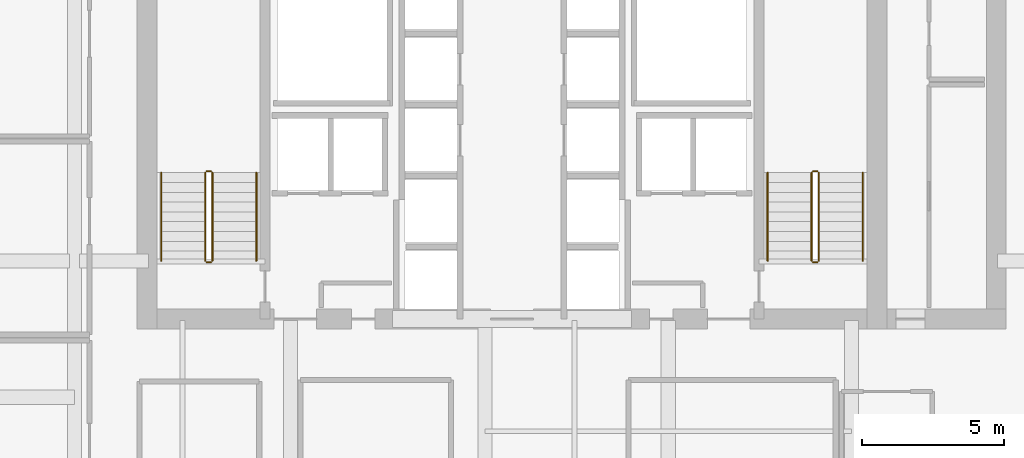
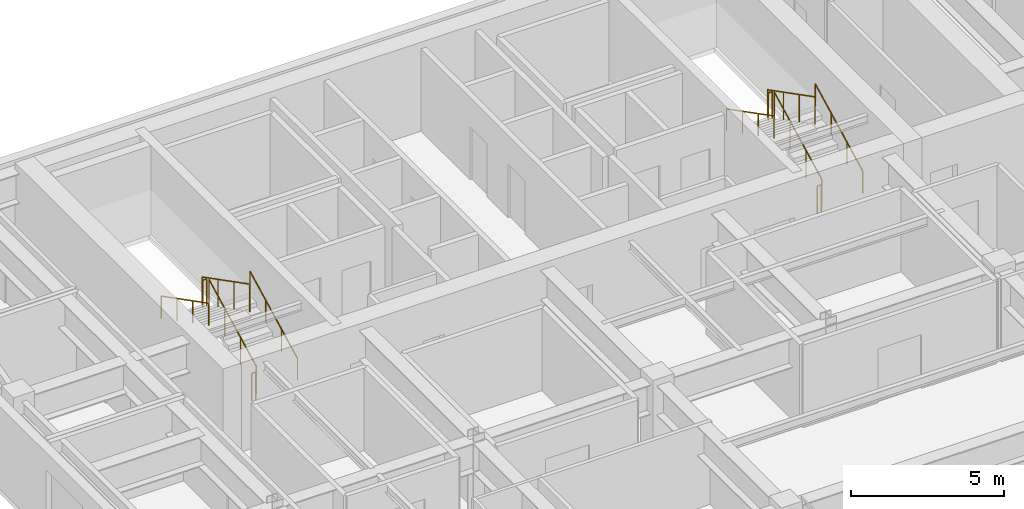
# One storey, part 13 of 13: 12 railings.
"""IFC4 building model written with IfcOpenShell, lengths in metres."""

from ifc_helpers import new_model, si_unit, direction, frame, origin, origin_2d, place, context, subcontext, project, spatial, circle, extrude, material, type_object, element, save


model = new_model("IFC4")

# Units and contexts
model_context = context("Model", 3, precision=1e-05, world=origin(), true_north=direction((0.0, 1.0)))
body_context = subcontext(model_context, "Body", "Model", "MODEL_VIEW")
ifc_project = project(units=[si_unit("LENGTHUNIT", "METRE"), si_unit("AREAUNIT", "SQUARE_METRE"), si_unit("VOLUMEUNIT", "CUBIC_METRE"), si_unit("PLANEANGLEUNIT", "RADIAN"), si_unit("MASSUNIT", "GRAM", prefix="KILO")], contexts=[model_context])

# Site, building, storey
site_placement = place(None, origin())
site = spatial("IfcSite", under=ifc_project, at=site_placement, CompositionType="ELEMENT")
building_placement = place(site_placement, origin())
building = spatial("IfcBuilding", under=site, at=building_placement, Name="Tolvann Quenvar Hotel", CompositionType="ELEMENT")
storey_placement = place(building_placement, frame((0.0, 0.0, 201.75)))
storey = spatial("IfcBuildingStorey", under=building, at=storey_placement, Name="L53", CompositionType="ELEMENT", Elevation=201.75)

# Railings
ifc_material = material(Name="Brushed 316 stainless steel balustrade and handrail", Category="steel")
railing_type_1 = type_object("IfcRailingType", Name="GUARDRAIL", PredefinedType="GUARDRAIL", material=ifc_material)
railing_1_placement = place(storey_placement, frame((12.449951171875, 34.0, 0.177490234375)))
element("IfcRailing", 1, at=railing_1_placement, inside=storey, type_object=railing_type_1, Name="L53 ST-C1 stair guard 1", PredefinedType="GUARDRAIL", context=body_context, shape_type="SweptSolid", body=[
    extrude(circle(Radius=0.02392578125, at=origin_2d()), frame((0.0, 0.0, 1.09619140625), z_axis=(0.0, 0.889221982265, 0.45747597342), x_axis=(-1.0, 0.0, 0.0)), (0.0, 0.0, 1.0), 3.49169921875),
    extrude(circle(Radius=0.02099609375, at=origin_2d()), origin(), (0.0, 0.0, 1.0), 1.072021484375),
    extrude(circle(Radius=0.02099609375, at=origin_2d()), frame((0.0, 1.034912109375, 0.532470703125)), (0.0, 0.0, 1.0), 1.072021484375),
    extrude(circle(Radius=0.02099609375, at=origin_2d()), frame((0.0, 2.070068359375, 1.06494140625)), (0.0, 0.0, 1.0), 1.072021484375),
    extrude(circle(Radius=0.02099609375, at=origin_2d()), frame((0.0, 3.10498046875, 1.597412109375)), (0.0, 0.0, 1.0), 1.072021484375),
])
railing_2_placement = place(storey_placement, frame((12.39990234375, 37.155029296875, 1.77490234375)))
element("IfcRailing", 2, at=railing_2_placement, inside=storey, type_object=railing_type_1, Name="L53 ST-C1 stair guard 2", PredefinedType="GUARDRAIL", context=body_context, shape_type="SweptSolid", body=[
    extrude(circle(Radius=0.02392578125, at=origin_2d()), frame((0.0, 0.0, 1.09619140625), z_axis=(-1.0, 0.0, 0.0), x_axis=(0.0, -1.0, 0.0)), (0.0, 0.0, 1.0), 0.14990234375),
    extrude(circle(Radius=0.02099609375, at=origin_2d()), origin(), (0.0, 0.0, 1.0), 1.072021484375),
    extrude(circle(Radius=0.02099609375, at=origin_2d()), frame((-0.14990234375, 0.0, 0.0)), (0.0, 0.0, 1.0), 1.072021484375),
])
railing_3_placement = place(storey_placement, frame((12.199951171875, 37.10498046875, 1.952392578125)))
element("IfcRailing", 3, at=railing_3_placement, inside=storey, type_object=railing_type_1, Name="L53 ST-C1 stair guard 3", PredefinedType="GUARDRAIL", context=body_context, shape_type="SweptSolid", body=[
    extrude(circle(Radius=0.02392578125, at=origin_2d()), frame((0.0, 0.0, 1.09619140625), z_axis=(0.0, -0.88919353882, 0.457531256332), x_axis=(1.0, 0.0, 0.0)), (0.0, 0.0, 1.0), 3.491943359375),
    extrude(circle(Radius=0.02099609375, at=origin_2d()), origin(), (0.0, 0.0, 1.0), 1.072021484375),
    extrude(circle(Radius=0.02099609375, at=origin_2d()), frame((0.0, -1.034912109375, 0.532470703125)), (0.0, 0.0, 1.0), 1.072021484375),
    extrude(circle(Radius=0.02099609375, at=origin_2d()), frame((0.0, -2.070068359375, 1.065185546875)), (0.0, 0.0, 1.0), 1.072021484375),
    extrude(circle(Radius=0.02099609375, at=origin_2d()), frame((0.0, -3.10498046875, 1.59765625)), (0.0, 0.0, 1.0), 1.072021484375),
])
railing_4_placement = place(storey_placement, frame((12.39990234375, 33.949951171875, 0.0)))
element("IfcRailing", 4, at=railing_4_placement, inside=storey, type_object=railing_type_1, Name="L53 ST-C1 stair guard 4", PredefinedType="GUARDRAIL", context=body_context, shape_type="SweptSolid", body=[
    extrude(circle(Radius=0.02392578125, at=origin_2d()), frame((0.0, 0.0, 1.09619140625), z_axis=(-1.0, 0.0, 0.0), x_axis=(0.0, -1.0, 0.0)), (0.0, 0.0, 1.0), 0.14990234375),
    extrude(circle(Radius=0.02099609375, at=origin_2d()), origin(), (0.0, 0.0, 1.0), 1.072021484375),
    extrude(circle(Radius=0.02099609375, at=origin_2d()), frame((-0.14990234375, 0.0, 0.0)), (0.0, 0.0, 1.0), 1.072021484375),
])
railing_5_placement = place(storey_placement, frame((33.800048828125, 34.0, 0.177490234375)))
element("IfcRailing", 5, at=railing_5_placement, inside=storey, type_object=railing_type_1, Name="L53 ST-C2 stair guard 1", PredefinedType="GUARDRAIL", context=body_context, shape_type="SweptSolid", body=[
    extrude(circle(Radius=0.02392578125, at=origin_2d()), frame((0.0, 0.0, 1.09619140625), z_axis=(0.0, 0.889221982265, 0.45747597342), x_axis=(-1.0, 0.0, 0.0)), (0.0, 0.0, 1.0), 3.49169921875),
    extrude(circle(Radius=0.02099609375, at=origin_2d()), origin(), (0.0, 0.0, 1.0), 1.072021484375),
    extrude(circle(Radius=0.02099609375, at=origin_2d()), frame((0.0, 1.034912109375, 0.532470703125)), (0.0, 0.0, 1.0), 1.072021484375),
    extrude(circle(Radius=0.02099609375, at=origin_2d()), frame((0.0, 2.070068359375, 1.06494140625)), (0.0, 0.0, 1.0), 1.072021484375),
    extrude(circle(Radius=0.02099609375, at=origin_2d()), frame((0.0, 3.10498046875, 1.597412109375)), (0.0, 0.0, 1.0), 1.072021484375),
])
railing_6_placement = place(storey_placement, frame((33.75, 37.155029296875, 1.77490234375)))
element("IfcRailing", 6, at=railing_6_placement, inside=storey, type_object=railing_type_1, Name="L53 ST-C2 stair guard 2", PredefinedType="GUARDRAIL", context=body_context, shape_type="SweptSolid", body=[
    extrude(circle(Radius=0.02392578125, at=origin_2d()), frame((0.0, 0.0, 1.09619140625), z_axis=(-1.0, 0.0, 0.0), x_axis=(0.0, -1.0, 0.0)), (0.0, 0.0, 1.0), 0.14990234375),
    extrude(circle(Radius=0.02099609375, at=origin_2d()), origin(), (0.0, 0.0, 1.0), 1.072021484375),
    extrude(circle(Radius=0.02099609375, at=origin_2d()), frame((-0.14990234375, 0.0, 0.0)), (0.0, 0.0, 1.0), 1.072021484375),
])
railing_7_placement = place(storey_placement, frame((33.550048828125, 37.10498046875, 1.952392578125)))
element("IfcRailing", 7, at=railing_7_placement, inside=storey, type_object=railing_type_1, Name="L53 ST-C2 stair guard 3", PredefinedType="GUARDRAIL", context=body_context, shape_type="SweptSolid", body=[
    extrude(circle(Radius=0.02392578125, at=origin_2d()), frame((0.0, 0.0, 1.09619140625), z_axis=(0.0, -0.88919353882, 0.457531256332), x_axis=(1.0, 0.0, 0.0)), (0.0, 0.0, 1.0), 3.491943359375),
    extrude(circle(Radius=0.02099609375, at=origin_2d()), origin(), (0.0, 0.0, 1.0), 1.072021484375),
    extrude(circle(Radius=0.02099609375, at=origin_2d()), frame((0.0, -1.034912109375, 0.532470703125)), (0.0, 0.0, 1.0), 1.072021484375),
    extrude(circle(Radius=0.02099609375, at=origin_2d()), frame((0.0, -2.070068359375, 1.065185546875)), (0.0, 0.0, 1.0), 1.072021484375),
    extrude(circle(Radius=0.02099609375, at=origin_2d()), frame((0.0, -3.10498046875, 1.59765625)), (0.0, 0.0, 1.0), 1.072021484375),
])
railing_8_placement = place(storey_placement, frame((33.75, 33.949951171875, 0.0)))
element("IfcRailing", 8, at=railing_8_placement, inside=storey, type_object=railing_type_1, Name="L53 ST-C2 stair guard 4", PredefinedType="GUARDRAIL", context=body_context, shape_type="SweptSolid", body=[
    extrude(circle(Radius=0.02392578125, at=origin_2d()), frame((0.0, 0.0, 1.09619140625), z_axis=(-1.0, 0.0, 0.0), x_axis=(0.0, -1.0, 0.0)), (0.0, 0.0, 1.0), 0.14990234375),
    extrude(circle(Radius=0.02099609375, at=origin_2d()), origin(), (0.0, 0.0, 1.0), 1.072021484375),
    extrude(circle(Radius=0.02099609375, at=origin_2d()), frame((-0.14990234375, 0.0, 0.0)), (0.0, 0.0, 1.0), 1.072021484375),
])
railing_type_2 = type_object("IfcRailingType", Name="HANDRAIL", PredefinedType="HANDRAIL", material=ifc_material)
railing_9_placement = place(storey_placement, frame((14.0, 34.0, 0.177490234375)))
element("IfcRailing", 9, at=railing_9_placement, inside=storey, type_object=railing_type_2, Name="L53 ST-C1 stair handrail 1", PredefinedType="HANDRAIL", context=body_context, shape_type="SweptSolid", body=[
    extrude(circle(Radius=0.02392578125, at=origin_2d()), frame((0.0, 0.0, 0.8759765625), z_axis=(0.0, 0.889221982265, 0.45747597342), x_axis=(-1.0, 0.0, 0.0)), (0.0, 0.0, 1.0), 3.49169921875),
    extrude(circle(Radius=0.02099609375, at=origin_2d()), origin(), (0.0, 0.0, 1.0), 0.851806640625),
    extrude(circle(Radius=0.02099609375, at=origin_2d()), frame((0.0, 1.034912109375, 0.532470703125)), (0.0, 0.0, 1.0), 0.851806640625),
    extrude(circle(Radius=0.02099609375, at=origin_2d()), frame((0.0, 2.070068359375, 1.06494140625)), (0.0, 0.0, 1.0), 0.851806640625),
    extrude(circle(Radius=0.02099609375, at=origin_2d()), frame((0.0, 3.10498046875, 1.597412109375)), (0.0, 0.0, 1.0), 0.851806640625),
])
railing_10_placement = place(storey_placement, frame((10.64990234375, 37.10498046875, 1.952392578125)))
element("IfcRailing", 10, at=railing_10_placement, inside=storey, type_object=railing_type_2, Name="L53 ST-C1 stair handrail 2", PredefinedType="HANDRAIL", context=body_context, shape_type="SweptSolid", body=[
    extrude(circle(Radius=0.02392578125, at=origin_2d()), frame((0.0, 0.0, 0.8759765625), z_axis=(0.0, -0.88919353882, 0.457531256332), x_axis=(1.0, 0.0, 0.0)), (0.0, 0.0, 1.0), 3.491943359375),
    extrude(circle(Radius=0.02099609375, at=origin_2d()), origin(), (0.0, 0.0, 1.0), 0.851806640625),
    extrude(circle(Radius=0.02099609375, at=origin_2d()), frame((0.0, -1.034912109375, 0.532470703125)), (0.0, 0.0, 1.0), 0.851806640625),
    extrude(circle(Radius=0.02099609375, at=origin_2d()), frame((0.0, -2.070068359375, 1.065185546875)), (0.0, 0.0, 1.0), 0.851806640625),
    extrude(circle(Radius=0.02099609375, at=origin_2d()), frame((0.0, -3.10498046875, 1.59765625)), (0.0, 0.0, 1.0), 0.851806640625),
])
railing_11_placement = place(storey_placement, frame((35.35009765625, 34.0, 0.177490234375)))
element("IfcRailing", 11, at=railing_11_placement, inside=storey, type_object=railing_type_2, Name="L53 ST-C2 stair handrail 1", PredefinedType="HANDRAIL", context=body_context, shape_type="SweptSolid", body=[
    extrude(circle(Radius=0.02392578125, at=origin_2d()), frame((0.0, 0.0, 0.8759765625), z_axis=(0.0, 0.889221982265, 0.45747597342), x_axis=(-1.0, 0.0, 0.0)), (0.0, 0.0, 1.0), 3.49169921875),
    extrude(circle(Radius=0.02099609375, at=origin_2d()), origin(), (0.0, 0.0, 1.0), 0.851806640625),
    extrude(circle(Radius=0.02099609375, at=origin_2d()), frame((0.0, 1.034912109375, 0.532470703125)), (0.0, 0.0, 1.0), 0.851806640625),
    extrude(circle(Radius=0.02099609375, at=origin_2d()), frame((0.0, 2.070068359375, 1.06494140625)), (0.0, 0.0, 1.0), 0.851806640625),
    extrude(circle(Radius=0.02099609375, at=origin_2d()), frame((0.0, 3.10498046875, 1.597412109375)), (0.0, 0.0, 1.0), 0.851806640625),
])
railing_12_placement = place(storey_placement, frame((32.0, 37.10498046875, 1.952392578125)))
element("IfcRailing", 12, at=railing_12_placement, inside=storey, type_object=railing_type_2, Name="L53 ST-C2 stair handrail 2", PredefinedType="HANDRAIL", context=body_context, shape_type="SweptSolid", body=[
    extrude(circle(Radius=0.02392578125, at=origin_2d()), frame((0.0, 0.0, 0.8759765625), z_axis=(0.0, -0.88919353882, 0.457531256332), x_axis=(1.0, 0.0, 0.0)), (0.0, 0.0, 1.0), 3.491943359375),
    extrude(circle(Radius=0.02099609375, at=origin_2d()), origin(), (0.0, 0.0, 1.0), 0.851806640625),
    extrude(circle(Radius=0.02099609375, at=origin_2d()), frame((0.0, -1.034912109375, 0.532470703125)), (0.0, 0.0, 1.0), 0.851806640625),
    extrude(circle(Radius=0.02099609375, at=origin_2d()), frame((0.0, -2.070068359375, 1.065185546875)), (0.0, 0.0, 1.0), 0.851806640625),
    extrude(circle(Radius=0.02099609375, at=origin_2d()), frame((0.0, -3.10498046875, 1.59765625)), (0.0, 0.0, 1.0), 0.851806640625),
])

save(model, "model.ifc")
